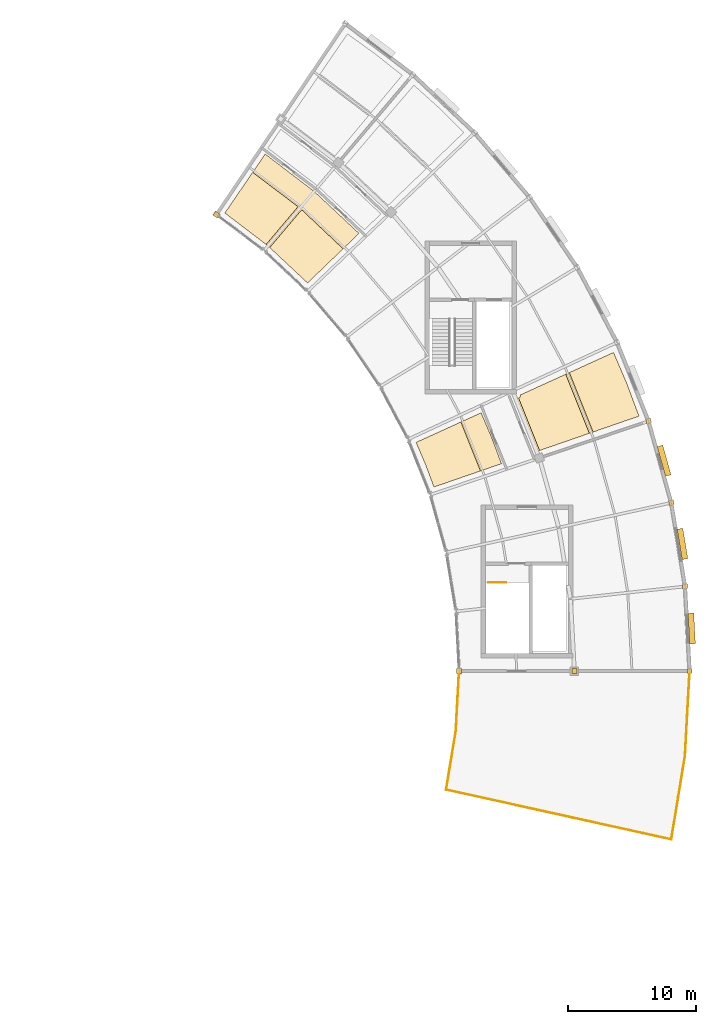
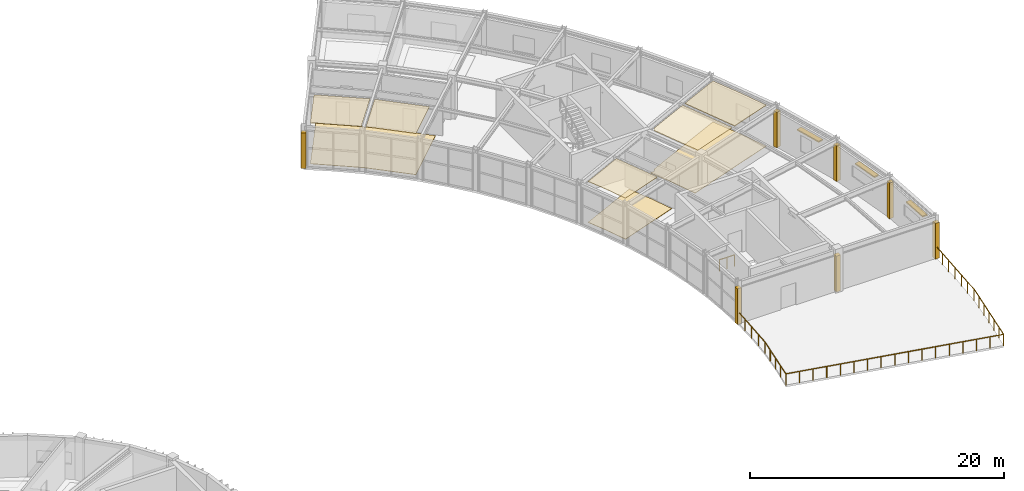
# One storey, part 28 of 29: 15 coverings, 6 railings, 3 shading devices.
"""IFC4 building model written with IfcOpenShell, lengths in metres."""

from ifc_helpers import new_model, si_unit, direction, frame, origin, origin_2d, place, context, subcontext, project, spatial, polyline, rectangle, circle, outline, extrude, material, layer, layer_set, type_object, element, save


model = new_model("IFC4")

# Units and contexts
model_context = context("Model", 3, precision=1e-05, world=origin(), true_north=direction((0.0, 1.0)))
body_context = subcontext(model_context, "Body", "Model", "MODEL_VIEW")
ifc_project = project(units=[si_unit("LENGTHUNIT", "METRE"), si_unit("AREAUNIT", "SQUARE_METRE"), si_unit("VOLUMEUNIT", "CUBIC_METRE"), si_unit("PLANEANGLEUNIT", "RADIAN"), si_unit("MASSUNIT", "GRAM", prefix="KILO")], contexts=[model_context])

# Site, building, storey
site_placement = place(None, origin())
site = spatial("IfcSite", under=ifc_project, at=site_placement, CompositionType="ELEMENT")
building_placement = place(site_placement, origin())
building = spatial("IfcBuilding", under=site, at=building_placement, Name="Tarnveldt Headland Concert Hall", CompositionType="ELEMENT")
storey_placement = place(building_placement, frame((0.0, 0.0, 18.60009765625)))
storey = spatial("IfcBuildingStorey", under=building, at=storey_placement, Name="L04", CompositionType="ELEMENT", Elevation=18.60009765625)

# Coverings
ifc_material_1 = material(Name="Micro-perforated mvule acoustic ceiling panel", Category="timber")
ifc_layer_1 = layer(ifc_material_1, 0.050048828125, Name="Micro-perforated mvule acoustic ceiling panel", Category="timber")
ifc_layer_set_1 = layer_set([ifc_layer_1], Name="Micro-perforated mvule acoustic ceiling panel")
covering_type_1 = type_object("IfcCoveringType", Name="CV-CEIL50", PredefinedType="CEILING", material=ifc_layer_set_1)
covering_1_placement = place(storey_placement, frame((0.0, 0.0, 3.929931640625)))
element("IfcCovering", 1, at=covering_1_placement, inside=storey, type_object=covering_type_1, Name="Acoustic mvule ceiling L04-14-341", PredefinedType="CEILING", context=body_context, shape_type="SweptSolid", body=[
    extrude(outline(polyline([(157.87841796875, 76.12744140625), (157.875244140625, 76.13525390625), (157.139404296875, 77.857666015625), (160.63720703125, 79.450927734375), (162.16455078125, 75.627685546875), (158.531982421875, 74.372314453125), (157.87841796875, 76.12744140625)])), origin(), (0.0, 0.0, 1.0), 0.050048828125),
])
covering_2_placement = place(storey_placement, frame((0.0, 0.0, 3.929931640625)))
element("IfcCovering", 2, at=covering_2_placement, inside=storey, type_object=covering_type_1, Name="Acoustic mvule ceiling L04-15-342", PredefinedType="CEILING", context=body_context, shape_type="SweptSolid", body=[
    extrude(outline(polyline([(145.712646484375, 93.072509765625), (148.207763671875, 96.022705078125), (151.439208984375, 92.97412109375), (148.6689453125, 90.302734375), (145.712646484375, 93.072509765625)])), origin(), (0.0, 0.0, 1.0), 0.050048828125),
])
covering_3_placement = place(storey_placement, frame((0.0, 0.0, 3.929931640625)))
element("IfcCovering", 3, at=covering_3_placement, inside=storey, type_object=covering_type_1, Name="Acoustic mvule ceiling L04-15-343", PredefinedType="CEILING", context=body_context, shape_type="SweptSolid", body=[
    extrude(outline(polyline([(147.92529296875, 96.26171875), (145.43017578125, 93.311279296875), (142.208251953125, 95.766845703125), (144.38232421875, 98.942138671875), (147.92529296875, 96.26171875)])), origin(), (0.0, 0.0, 1.0), 0.050048828125),
])
covering_4_placement = place(storey_placement, frame((0.0, 0.0, 3.929931640625)))
element("IfcCovering", 4, at=covering_4_placement, inside=storey, type_object=covering_type_1, Name="Acoustic mvule ceiling L04-16-344", PredefinedType="CEILING", context=body_context, shape_type="SweptSolid", body=[
    extrude(outline(polyline([(165.184814453125, 81.34130859375), (165.199951171875, 81.350341796875), (165.214111328125, 81.36083984375), (165.227294921875, 81.372802734375), (165.239013671875, 81.3857421875), (165.249755859375, 81.39990234375), (165.2587890625, 81.4150390625), (165.266357421875, 81.43115234375), (165.272216796875, 81.44775390625), (165.276611328125, 81.46484375), (165.279052734375, 81.482421875), (165.280029296875, 81.5), (165.280029296875, 81.565673828125), (168.82470703125, 83.18017578125), (170.667724609375, 78.56689453125), (166.780517578125, 77.22314453125), (165.141845703125, 81.3251953125), (165.15234375, 81.327880859375), (165.1689453125, 81.333740234375), (165.184814453125, 81.34130859375)])), origin(), (0.0, 0.0, 1.0), 0.050048828125),
])
covering_5_placement = place(storey_placement, frame((0.0, 0.0, 3.929931640625)))
element("IfcCovering", 5, at=covering_5_placement, inside=storey, type_object=covering_type_1, Name="Acoustic mvule ceiling L04-16-345", PredefinedType="CEILING", context=body_context, shape_type="SweptSolid", body=[
    extrude(outline(polyline([(173.60791015625, 82.416259765625), (174.54248046875, 79.906005859375), (170.961181640625, 78.668212890625), (169.107177734375, 83.308837890625), (172.555419921875, 84.87939453125), (173.60791015625, 82.416259765625)])), origin(), (0.0, 0.0, 1.0), 0.050048828125),
])
ifc_material_2 = material(Name="Polished coral-aggregate cementitious terrazzo flooring", Category="concrete")
ifc_layer_2 = layer(ifc_material_2, 0.034912109375, Name="Polished coral-aggregate cementitious terrazzo flooring", Category="concrete")
ifc_layer_set_2 = layer_set([ifc_layer_2], Name="Polished coral-aggregate cementitious terrazzo flooring")
covering_type_2 = type_object("IfcCoveringType", Name="CV-FLOR35", PredefinedType="FLOORING", material=ifc_layer_set_2)
covering_6_placement = place(storey_placement, origin())
element("IfcCovering", 6, at=covering_6_placement, inside=storey, type_object=covering_type_2, Name="Architectural flooring L04-14-124", PredefinedType="FLOORING", context=body_context, shape_type="SweptSolid", body=[
    extrude(outline(polyline([(158.531982421875, 74.372314453125), (157.87841796875, 76.12744140625), (157.875244140625, 76.13525390625), (157.139404296875, 77.857666015625), (162.21728515625, 80.170654296875), (163.05859375, 78.20166015625), (163.8056640625, 76.195068359375), (158.531982421875, 74.372314453125)])), origin(), (0.0, 0.0, 1.0), 0.034912109375),
])
covering_7_placement = place(storey_placement, origin())
element("IfcCovering", 7, at=covering_7_placement, inside=storey, type_object=covering_type_2, Name="Architectural flooring L04-15-125", PredefinedType="FLOORING", context=body_context, shape_type="SweptSolid", body=[
    extrude(outline(polyline([(148.6689453125, 90.302734375), (145.584228515625, 93.19287109375), (145.5703125, 93.20458984375), (142.208251953125, 95.766845703125), (145.360595703125, 100.37060546875), (149.180419921875, 97.45947265625), (152.685546875, 94.175537109375), (148.6689453125, 90.302734375)])), origin(), (0.0, 0.0, 1.0), 0.034912109375),
])
covering_8_placement = place(storey_placement, origin())
element("IfcCovering", 8, at=covering_8_placement, inside=storey, type_object=covering_type_2, Name="Architectural flooring L04-16-126", PredefinedType="FLOORING", context=body_context, shape_type="SweptSolid", body=[
    extrude(outline(polyline([(165.10009765625, 81.320068359375), (165.11767578125, 81.32080078125), (165.135009765625, 81.323486328125), (165.15234375, 81.327880859375), (165.1689453125, 81.333740234375), (165.184814453125, 81.34130859375), (165.199951171875, 81.350341796875), (165.214111328125, 81.36083984375), (165.227294921875, 81.372802734375), (165.239013671875, 81.3857421875), (165.249755859375, 81.39990234375), (165.2587890625, 81.4150390625), (165.266357421875, 81.43115234375), (165.272216796875, 81.44775390625), (165.276611328125, 81.46484375), (165.279052734375, 81.482421875), (165.280029296875, 81.5), (165.280029296875, 81.565673828125), (172.555419921875, 84.87939453125), (173.60791015625, 82.416259765625), (174.54248046875, 79.906005859375), (166.4521484375, 77.10986328125), (165.660400390625, 79.236572265625), (165.656982421875, 79.244384765625), (164.7705078125, 81.320068359375), (165.10009765625, 81.320068359375)])), origin(), (0.0, 0.0, 1.0), 0.034912109375),
])
ifc_material_3 = material(Name="Coral-toned precast concrete C40/50", Category="concrete")
ifc_layer_3 = layer(ifc_material_3, 0.360107421875, Name="Coral-toned precast concrete C40/50", Category="concrete")
ifc_layer_set_3 = layer_set([ifc_layer_3], Name="Coral-toned precast concrete C40/50")
covering_type_3 = type_object("IfcCoveringType", Name="CV-JNT360", PredefinedType="CLADDING", material=ifc_layer_set_3)
covering_9_placement = place(storey_placement, frame((141.54541015625, 95.648681640625, 0.0), z_axis=(0.0, 0.0, 1.0), x_axis=(0.559192903471, 0.829037572555, 0.0)))
element("IfcCovering", 9, at=covering_9_placement, inside=storey, type_object=covering_type_3, Name="Precast facade joint closure pilaster L04-333", PredefinedType="CLADDING", context=body_context, shape_type="SweptSolid", body=[
    extrude(rectangle(XDim=0.3798828125, YDim=0.3798828125, at=origin_2d()), origin(), (0.0, 0.0, 1.0), 3.41796875),
])
for number, where, z_axis, x_axis, name in (
    (10, (160.5, 60.0, 0.0), (0.0, 0.0, 1.0), (-1.0, 0.0, 0.0), "Precast facade joint closure pilaster L04-337"),
    (11, (169.5, 60.0, 0.0), (0.0, 0.0, 1.0), (-1.0, 0.0, 0.0), "Precast facade joint closure pilaster L04-340"),
):
    element("IfcCovering", number, at=place(storey_placement, frame(where, z_axis=z_axis, x_axis=x_axis)), inside=storey, type_object=covering_type_3, Name=name, PredefinedType="CLADDING", context=body_context, shape_type="SweptSolid", body=[
        extrude(rectangle(XDim=0.3798828125, YDim=0.3798828125, at=origin_2d()), origin(), (0.0, 0.0, 1.0), 3.443115234375),
    ])
for number, where, z_axis, x_axis, name in (
    (12, (175.291259765625, 79.523681640625, 0.0), (0.0, 0.0, 1.0), (0.268079200424, -0.963396876837, 0.0), "Precast facade joint closure pilaster L04-343"),
    (13, (177.06689453125, 73.14501953125, 0.0), (0.0, 0.0, 1.0), (0.162120515372, -0.986770965572, 0.0), "Precast facade joint closure pilaster L04-344"),
):
    element("IfcCovering", number, at=place(storey_placement, frame(where, z_axis=z_axis, x_axis=x_axis)), inside=storey, type_object=covering_type_3, Name=name, PredefinedType="CLADDING", context=body_context, shape_type="SweptSolid", body=[
        extrude(rectangle(XDim=0.3798828125, YDim=0.3798828125, at=origin_2d()), origin(), (0.0, 0.0, 1.0), 3.41796875),
    ])
for number, where, z_axis, x_axis, name in (
    (14, (178.140625, 66.611572265625, 0.0), (0.0, 0.0, 1.0), (0.054253089686, -0.998527216584, 0.0), "Precast facade joint closure pilaster L04-345"),
    (15, (178.5, 60.0, 0.0), (0.0, 0.0, 1.0), (0.054253089686, -0.998527216584, 0.0), "Precast facade joint closure pilaster L04-346"),
):
    element("IfcCovering", number, at=place(storey_placement, frame(where, z_axis=z_axis, x_axis=x_axis)), inside=storey, type_object=covering_type_3, Name=name, PredefinedType="CLADDING", context=body_context, shape_type="SweptSolid", body=[
        extrude(rectangle(XDim=0.3798828125, YDim=0.3798828125, at=origin_2d()), origin(), (0.0, 0.0, 1.0), 3.443115234375),
    ])

# Railings
ifc_material_4 = material(Name="Marine stainless steel", Category="steel")
ifc_layer_4 = layer(ifc_material_4, 0.074951171875, Name="Marine stainless steel", Category="steel")
ifc_layer_set_4 = layer_set([ifc_layer_4], Name="Marine stainless steel")
railing_type_1 = type_object("IfcRailingType", Name="RL-BAL110", PredefinedType="BALUSTRADE", material=ifc_layer_set_4)
railing_1_placement = place(storey_placement, frame((159.48974609375, 50.73388671875, 0.0)))
element("IfcRailing", 16, at=railing_1_placement, inside=storey, type_object=railing_type_1, Name="GUARD Crescent terrace south balustrade L04", PredefinedType="BALUSTRADE", context=body_context, shape_type="SweptSolid", body=[
    extrude(circle(Radius=0.02392578125, at=origin_2d()), frame((0.0, 0.0, 1.076171875), z_axis=(0.976505140869, -0.215494106313, 0.0), x_axis=(0.215494106313, 0.976505140869, 0.0)), (0.0, 0.0, 1.0), 18.0),
    extrude(circle(Radius=0.02099609375, at=origin_2d()), origin(), (0.0, 0.0, 1.0), 1.052001953125),
    extrude(circle(Radius=0.02099609375, at=origin_2d()), frame((1.0986328125, -0.242431640625, 0.0)), (0.0, 0.0, 1.0), 1.052001953125),
    extrude(circle(Radius=0.02099609375, at=origin_2d()), frame((2.197265625, -0.48486328125, 0.0)), (0.0, 0.0, 1.0), 1.052001953125),
    extrude(circle(Radius=0.02099609375, at=origin_2d()), frame((3.295654296875, -0.727294921875, 0.0)), (0.0, 0.0, 1.0), 1.052001953125),
    extrude(circle(Radius=0.02099609375, at=origin_2d()), frame((4.394287109375, -0.9697265625, 0.0)), (0.0, 0.0, 1.0), 1.052001953125),
    extrude(circle(Radius=0.02099609375, at=origin_2d()), frame((5.492919921875, -1.212158203125, 0.0)), (0.0, 0.0, 1.0), 1.052001953125),
    extrude(circle(Radius=0.02099609375, at=origin_2d()), frame((6.59130859375, -1.45458984375, 0.0)), (0.0, 0.0, 1.0), 1.052001953125),
    extrude(circle(Radius=0.02099609375, at=origin_2d()), frame((7.68994140625, -1.697021484375, 0.0)), (0.0, 0.0, 1.0), 1.052001953125),
    extrude(circle(Radius=0.02099609375, at=origin_2d()), frame((8.78857421875, -1.939453125, 0.0)), (0.0, 0.0, 1.0), 1.052001953125),
    extrude(circle(Radius=0.02099609375, at=origin_2d()), frame((9.88720703125, -2.181884765625, 0.0)), (0.0, 0.0, 1.0), 1.052001953125),
    extrude(circle(Radius=0.02099609375, at=origin_2d()), frame((10.98583984375, -2.42431640625, 0.0)), (0.0, 0.0, 1.0), 1.052001953125),
    extrude(circle(Radius=0.02099609375, at=origin_2d()), frame((12.084228515625, -2.666748046875, 0.0)), (0.0, 0.0, 1.0), 1.052001953125),
    extrude(circle(Radius=0.02099609375, at=origin_2d()), frame((13.182861328125, -2.9091796875, 0.0)), (0.0, 0.0, 1.0), 1.052001953125),
    extrude(circle(Radius=0.02099609375, at=origin_2d()), frame((14.281494140625, -3.151611328125, 0.0)), (0.0, 0.0, 1.0), 1.052001953125),
    extrude(circle(Radius=0.02099609375, at=origin_2d()), frame((15.3798828125, -3.39404296875, 0.0)), (0.0, 0.0, 1.0), 1.052001953125),
    extrude(circle(Radius=0.02099609375, at=origin_2d()), frame((16.478515625, -3.636474609375, 0.0)), (0.0, 0.0, 1.0), 1.052001953125),
    extrude(circle(Radius=0.02099609375, at=origin_2d()), frame((17.5771484375, -3.87890625, 0.0)), (0.0, 0.0, 1.0), 1.052001953125),
])
railing_2_placement = place(storey_placement, frame((159.48974609375, 50.73388671875, 0.0)))
element("IfcRailing", 17, at=railing_2_placement, inside=storey, type_object=railing_type_1, Name="GUARD Crescent terrace inner balustrade L04-7", PredefinedType="BALUSTRADE", context=body_context, shape_type="SweptSolid", body=[
    extrude(circle(Radius=0.02392578125, at=origin_2d()), frame((0.0, 0.0, 1.076171875), z_axis=(0.162159155586, 0.986764616441, 0.0), x_axis=(-0.986764616441, 0.162159155586, 0.0)), (0.0, 0.0, 1.0), 4.667236328125),
    extrude(circle(Radius=0.02099609375, at=origin_2d()), origin(), (0.0, 0.0, 1.0), 1.052001953125),
    extrude(circle(Radius=0.02099609375, at=origin_2d()), frame((0.189208984375, 1.1513671875, 0.0)), (0.0, 0.0, 1.0), 1.052001953125),
    extrude(circle(Radius=0.02099609375, at=origin_2d()), frame((0.37841796875, 2.302734375, 0.0)), (0.0, 0.0, 1.0), 1.052001953125),
    extrude(circle(Radius=0.02099609375, at=origin_2d()), frame((0.567626953125, 3.4541015625, 0.0)), (0.0, 0.0, 1.0), 1.052001953125),
    extrude(circle(Radius=0.02099609375, at=origin_2d()), frame((0.7568359375, 4.60546875, 0.0)), (0.0, 0.0, 1.0), 1.052001953125),
])
railing_3_placement = place(storey_placement, frame((177.06689453125, 46.85498046875, 0.0)))
element("IfcRailing", 18, at=railing_3_placement, inside=storey, type_object=railing_type_1, Name="GUARD Crescent terrace outer balustrade L04-7", PredefinedType="BALUSTRADE", context=body_context, shape_type="SweptSolid", body=[
    extrude(circle(Radius=0.02392578125, at=origin_2d()), frame((0.0, 0.0, 1.076171875), z_axis=(0.162168238057, 0.986763123838, 0.0), x_axis=(-0.986763123838, 0.162168238057, 0.0)), (0.0, 0.0, 1.0), 6.62109375),
    extrude(circle(Radius=0.02099609375, at=origin_2d()), origin(), (0.0, 0.0, 1.0), 1.052001953125),
    extrude(circle(Radius=0.02099609375, at=origin_2d()), frame((0.178955078125, 1.0888671875, 0.0)), (0.0, 0.0, 1.0), 1.052001953125),
    extrude(circle(Radius=0.02099609375, at=origin_2d()), frame((0.35791015625, 2.177734375, 0.0)), (0.0, 0.0, 1.0), 1.052001953125),
    extrude(circle(Radius=0.02099609375, at=origin_2d()), frame((0.536865234375, 3.2666015625, 0.0)), (0.0, 0.0, 1.0), 1.052001953125),
    extrude(circle(Radius=0.02099609375, at=origin_2d()), frame((0.7158203125, 4.355712890625, 0.0)), (0.0, 0.0, 1.0), 1.052001953125),
    extrude(circle(Radius=0.02099609375, at=origin_2d()), frame((0.894775390625, 5.444580078125, 0.0)), (0.0, 0.0, 1.0), 1.052001953125),
    extrude(circle(Radius=0.02099609375, at=origin_2d()), frame((1.07373046875, 6.533447265625, 0.0)), (0.0, 0.0, 1.0), 1.052001953125),
])
railing_4_placement = place(storey_placement, frame((160.24658203125, 55.33935546875, 0.0)))
element("IfcRailing", 19, at=railing_4_placement, inside=storey, type_object=railing_type_1, Name="GUARD Crescent terrace inner balustrade L04-8", PredefinedType="BALUSTRADE", context=body_context, shape_type="SweptSolid", body=[
    extrude(circle(Radius=0.02392578125, at=origin_2d()), frame((0.0, 0.0, 1.076171875), z_axis=(0.054293816294, 0.998525002948, 0.0), x_axis=(-0.998525002948, 0.054293816294, 0.0)), (0.0, 0.0, 1.0), 4.66748046875),
    extrude(circle(Radius=0.02099609375, at=origin_2d()), origin(), (0.0, 0.0, 1.0), 1.052001953125),
    extrude(circle(Radius=0.02099609375, at=origin_2d()), frame((0.0634765625, 1.1650390625, 0.0)), (0.0, 0.0, 1.0), 1.052001953125),
    extrude(circle(Radius=0.02099609375, at=origin_2d()), frame((0.126708984375, 2.330322265625, 0.0)), (0.0, 0.0, 1.0), 1.052001953125),
    extrude(circle(Radius=0.02099609375, at=origin_2d()), frame((0.18994140625, 3.49560546875, 0.0)), (0.0, 0.0, 1.0), 1.052001953125),
    extrude(circle(Radius=0.02099609375, at=origin_2d()), frame((0.25341796875, 4.66064453125, 0.0)), (0.0, 0.0, 1.0), 1.052001953125),
])
railing_5_placement = place(storey_placement, frame((178.140625, 53.388427734375, 0.0)))
element("IfcRailing", 20, at=railing_5_placement, inside=storey, type_object=railing_type_1, Name="GUARD Crescent terrace outer balustrade L04-8", PredefinedType="BALUSTRADE", context=body_context, shape_type="SweptSolid", body=[
    extrude(circle(Radius=0.02392578125, at=origin_2d()), frame((0.0, 0.0, 1.076171875), z_axis=(0.05427533265, 0.998526007806, 0.0), x_axis=(-0.998526007806, 0.05427533265, 0.0)), (0.0, 0.0, 1.0), 6.621337890625),
    extrude(circle(Radius=0.02099609375, at=origin_2d()), origin(), (0.0, 0.0, 1.0), 1.052001953125),
    extrude(circle(Radius=0.02099609375, at=origin_2d()), frame((0.059814453125, 1.10205078125, 0.0)), (0.0, 0.0, 1.0), 1.052001953125),
    extrude(circle(Radius=0.02099609375, at=origin_2d()), frame((0.119873046875, 2.203857421875, 0.0)), (0.0, 0.0, 1.0), 1.052001953125),
    extrude(circle(Radius=0.02099609375, at=origin_2d()), frame((0.1796875, 3.3056640625, 0.0)), (0.0, 0.0, 1.0), 1.052001953125),
    extrude(circle(Radius=0.02099609375, at=origin_2d()), frame((0.239501953125, 4.40771484375, 0.0)), (0.0, 0.0, 1.0), 1.052001953125),
    extrude(circle(Radius=0.02099609375, at=origin_2d()), frame((0.299560546875, 5.509765625, 0.0)), (0.0, 0.0, 1.0), 1.052001953125),
    extrude(circle(Radius=0.02099609375, at=origin_2d()), frame((0.359375, 6.611572265625, 0.0)), (0.0, 0.0, 1.0), 1.052001953125),
])
ifc_layer_5 = layer(ifc_material_4, 0.06005859375, Name="Marine stainless steel", Category="steel")
ifc_layer_set_5 = layer_set([ifc_layer_5], Name="Marine stainless steel")
railing_type_2 = type_object("IfcRailingType", Name="RL-GRD110", PredefinedType="GUARDRAIL", material=ifc_layer_set_5)
railing_6_placement = place(storey_placement, frame((162.800048828125, 66.919921875, 0.0)))
element("IfcRailing", 21, at=railing_6_placement, inside=storey, type_object=railing_type_2, Name="GUARD STR-C4-L03 top well edge", PredefinedType="GUARDRAIL", context=body_context, shape_type="SweptSolid", body=[
    extrude(circle(Radius=0.02392578125, at=origin_2d()), frame((0.0, 0.0, 1.076171875), z_axis=(1.0, 0.0, 0.0), x_axis=(0.0, 1.0, 0.0)), (0.0, 0.0, 1.0), 1.349853515625),
    extrude(circle(Radius=0.02099609375, at=origin_2d()), origin(), (0.0, 0.0, 1.0), 1.052001953125),
    extrude(circle(Radius=0.02099609375, at=origin_2d()), frame((0.6748046875, 0.0, 0.0)), (0.0, 0.0, 1.0), 1.052001953125),
    extrude(circle(Radius=0.02099609375, at=origin_2d()), frame((1.349853515625, 0.0, 0.0)), (0.0, 0.0, 1.0), 1.052001953125),
])

# Shading devices
ifc_material_5 = material(Name="Terracotta-anodised aluminium EN AW-6063-T6", Category="masonry")
shading_device_type = type_object("IfcShadingDeviceType", Name="SD-LVR450", PredefinedType="USERDEFINED", material=ifc_material_5)
for number, where, z_axis, x_axis, name in (
    (22, (178.659912109375, 63.32421875, 2.56982421875), (0.0, 0.0, 1.0), (0.998527216584, 0.054253089686, 0.0), "Crescent coastal solar louvre L04-10"),
    (23, (177.939208984375, 69.933349609375, 2.56982421875), (0.0, 0.0, 1.0), (0.986770965572, 0.162120515372, 0.0), "Crescent coastal solar louvre L04-11"),
    (24, (176.506591796875, 76.425537109375, 2.4697265625), (0.0, 0.0, 1.0), (0.963350073517, 0.268247340815, 0.0), "Crescent coastal solar louvre L04-12"),
):
    element("IfcShadingDevice", number, at=place(storey_placement, frame(where, z_axis=z_axis, x_axis=x_axis)), inside=storey, type_object=shading_device_type, Name=name, ObjectType="LOUVRE", PredefinedType="USERDEFINED", context=body_context, shape_type="SweptSolid", body=[
        extrude(rectangle(XDim=0.449951171875, YDim=2.39990234375, at=origin_2d()), origin(), (0.0, 0.0, 1.0), 0.1201171875),
    ])

save(model, "model.ifc")
